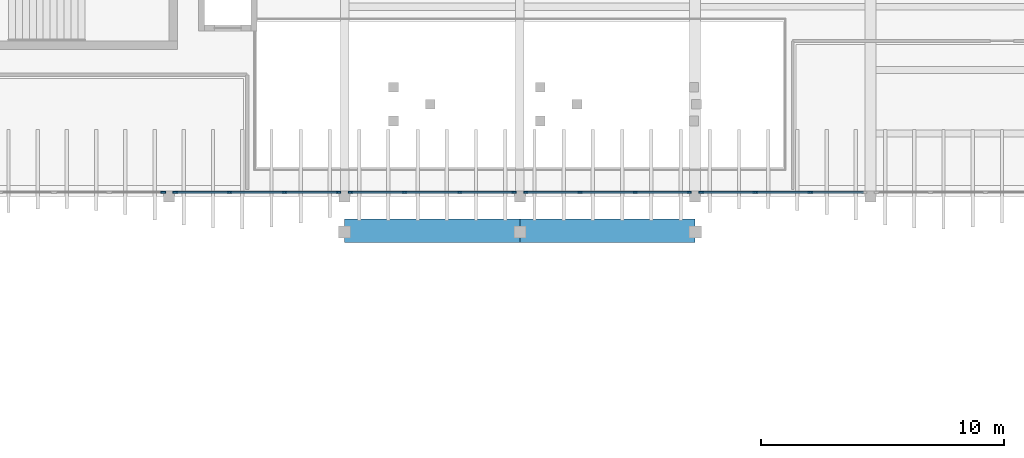
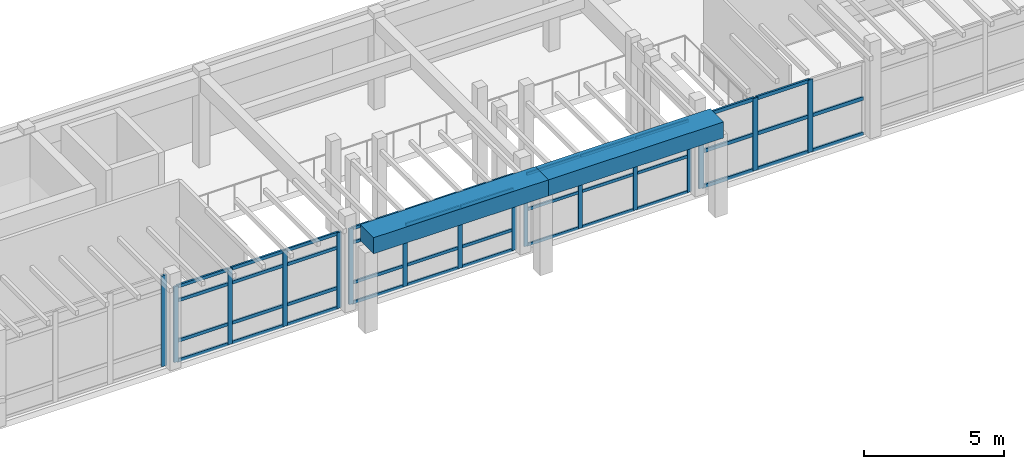
# One storey, part 16 of 60: 57 members, 2 beams, 5 elements without a shape of their own.
"""IFC4 building model written with IfcOpenShell, lengths in metres."""

from ifc_helpers import new_model, si_unit, direction, frame, origin, origin_2d, place, context, subcontext, project, spatial, rectangle, extrude, material, layer, layer_set, material_profile, profile_set, type_object, element, aggregate, save


model = new_model("IFC4")

# Units and contexts
model_context = context("Model", 3, precision=1e-05, world=origin(), true_north=direction((0.0, 1.0)))
body_context = subcontext(model_context, "Body", "Model", "MODEL_VIEW")
ifc_project = project(units=[si_unit("LENGTHUNIT", "METRE"), si_unit("AREAUNIT", "SQUARE_METRE"), si_unit("VOLUMEUNIT", "CUBIC_METRE"), si_unit("PLANEANGLEUNIT", "RADIAN"), si_unit("MASSUNIT", "GRAM", prefix="KILO")], contexts=[model_context])

# Site, building, storey
site_placement = place(None, origin())
site = spatial("IfcSite", under=ifc_project, at=site_placement, CompositionType="ELEMENT")
building_placement = place(site_placement, origin())
building = spatial("IfcBuilding", under=site, at=building_placement, Name="Brisavento Harbour Community Centre", CompositionType="ELEMENT")
storey_placement = place(building_placement, frame((0.0, 0.0, 4.5)))
storey = spatial("IfcBuildingStorey", under=building, at=storey_placement, Name="L01", CompositionType="ELEMENT", Elevation=4.5)

# Beams
ifc_material_1 = material(Name="Concrete C40/50", Category="concrete")
ifc_material_profile_1 = material_profile(ifc_material_1, rectangle(XDim=0.949951171875, YDim=0.699951171875, at=origin_2d()), Name="Concrete C40/50")
ifc_profile_set_1 = profile_set([ifc_material_profile_1], Name="Concrete C40/50")
beam_type = type_object("IfcBeamType", Name="BM-ARCH-PORTAL", PredefinedType="SPANDREL", material=ifc_profile_set_1)
for number, where, z_axis, x_axis, name in (
    (1, (72.0, 13.0, 3.85009765625), (1.0, 0.0, 0.0), (0.0, 1.0, 0.0), "Entrance arch fin-collector portal beam 1"),
    (2, (79.199951171875, 13.0, 3.85009765625), (1.0, 0.0, 0.0), (0.0, 1.0, 0.0), "Entrance arch fin-collector portal beam 2"),
):
    element("IfcBeam", number, at=place(storey_placement, frame(where, z_axis=z_axis, x_axis=x_axis)), inside=storey, type_object=beam_type, Name=name, PredefinedType="SPANDREL", context=body_context, shape_type="SweptSolid", body=[
        extrude(rectangle(XDim=0.949951171875, YDim=0.699951171875, at=origin_2d()), origin(), (0.0, 0.0, 1.0), 7.199951171875),
    ])

# Curtain wall, members
ifc_material_2 = material(Name="Marine-anodised aluminium AW-6063-T6", Category="aluminium")
ifc_layer_1 = layer(ifc_material_2, 0.179931640625, Name="Marine-anodised aluminium AW-6063-T6")
ifc_layer_set_1 = layer_set([ifc_layer_1], Name="Marine-anodised aluminium AW-6063-T6")
curtain_wall_type_1 = type_object("IfcCurtainWallType", Name="CW-SYS-25", PredefinedType="USERDEFINED", material=ifc_layer_set_1)
curtain_wall_1_placement = place(storey_placement, origin())
curtain_wall_1 = element("IfcCurtainWall", 3, at=curtain_wall_1_placement, inside=storey, type_object=curtain_wall_type_1, Name="L01 V2 unitised curtain wall 053", ObjectType="UNITISED CURTAIN WALL", PredefinedType="USERDEFINED")
ifc_material_profile_2 = material_profile(ifc_material_2, rectangle(XDim=0.06494140625, YDim=0.1650390625, at=origin_2d()), Name="Marine-anodised aluminium AW-6063-T6")
ifc_profile_set_2 = profile_set([ifc_material_profile_2], Name="Marine-anodised aluminium AW-6063-T6")
member_type_1 = type_object("IfcMemberType", Name="CWM-01", PredefinedType="MULLION", material=ifc_profile_set_2)
member_1_placement = place(storey_placement, frame((86.157470703125, 14.580078125, 0.0), z_axis=(0.0, 0.0, 1.0), x_axis=(0.0, -1.0, 0.0)))
member_1 = element("IfcMember", 4, at=member_1_placement, type_object=member_type_1, Name="CW-25 mullion 1", PredefinedType="MULLION", context=body_context, shape_type="SweptSolid", body=[
    extrude(rectangle(XDim=0.06494140625, YDim=0.1650390625, at=origin_2d()), origin(), (0.0, 0.0, 1.0), 3.14990234375),
])
member_2_placement = place(storey_placement, frame((83.929931640625, 14.580078125, 0.0), z_axis=(0.0, 0.0, 1.0), x_axis=(0.0, -1.0, 0.0)))
member_2 = element("IfcMember", 5, at=member_2_placement, type_object=member_type_1, Name="CW-25 mullion 2", PredefinedType="MULLION", context=body_context, shape_type="SweptSolid", body=[
    extrude(rectangle(XDim=0.06494140625, YDim=0.1650390625, at=origin_2d()), origin(), (0.0, 0.0, 1.0), 3.14990234375),
])
member_3_placement = place(storey_placement, frame((81.669921875, 14.580078125, 0.0), z_axis=(0.0, 0.0, 1.0), x_axis=(0.0, -1.0, 0.0)))
member_3 = element("IfcMember", 6, at=member_3_placement, type_object=member_type_1, Name="CW-25 mullion 3", PredefinedType="MULLION", context=body_context, shape_type="SweptSolid", body=[
    extrude(rectangle(XDim=0.06494140625, YDim=0.1650390625, at=origin_2d()), origin(), (0.0, 0.0, 1.0), 3.14990234375),
])
member_4_placement = place(storey_placement, frame((79.4423828125, 14.580078125, 0.0), z_axis=(0.0, 0.0, 1.0), x_axis=(0.0, -1.0, 0.0)))
member_4 = element("IfcMember", 7, at=member_4_placement, type_object=member_type_1, Name="CW-25 mullion 4", PredefinedType="MULLION", context=body_context, shape_type="SweptSolid", body=[
    extrude(rectangle(XDim=0.06494140625, YDim=0.1650390625, at=origin_2d()), origin(), (0.0, 0.0, 1.0), 3.14990234375),
])

ifc_layer_2 = layer(ifc_material_2, 0.179931640625, Name="Marine-anodised aluminium AW-6063-T6")
ifc_layer_set_2 = layer_set([ifc_layer_2], Name="Marine-anodised aluminium AW-6063-T6")
curtain_wall_type_2 = type_object("IfcCurtainWallType", Name="CW-SYS-26", PredefinedType="USERDEFINED", material=ifc_layer_set_2)
curtain_wall_2_placement = place(storey_placement, origin())
curtain_wall_2 = element("IfcCurtainWall", 8, at=curtain_wall_2_placement, inside=storey, type_object=curtain_wall_type_2, Name="L01 V2 unitised curtain wall 054", ObjectType="UNITISED CURTAIN WALL", PredefinedType="USERDEFINED")
ifc_material_profile_3 = material_profile(ifc_material_2, rectangle(XDim=0.070068359375, YDim=0.179931640625, at=origin_2d()), Name="Marine-anodised aluminium AW-6063-T6")
ifc_profile_set_3 = profile_set([ifc_material_profile_3], Name="Marine-anodised aluminium AW-6063-T6")
member_type_2 = type_object("IfcMemberType", Name="CWM-02", PredefinedType="MULLION", material=ifc_profile_set_3)
member_5_placement = place(storey_placement, frame((78.955078125, 14.580078125, 0.0), z_axis=(0.0, 0.0, 1.0), x_axis=(0.0, -1.0, 0.0)))
member_5 = element("IfcMember", 9, at=member_5_placement, type_object=member_type_2, Name="CW-26 mullion 1", PredefinedType="MULLION", context=body_context, shape_type="SweptSolid", body=[
    extrude(rectangle(XDim=0.070068359375, YDim=0.179931640625, at=origin_2d()), origin(), (0.0, 0.0, 1.0), 3.300048828125),
])
member_6_placement = place(storey_placement, frame((76.72998046875, 14.580078125, 0.0), z_axis=(0.0, 0.0, 1.0), x_axis=(0.0, -1.0, 0.0)))
member_6 = element("IfcMember", 10, at=member_6_placement, type_object=member_type_2, Name="CW-26 mullion 2", PredefinedType="MULLION", context=body_context, shape_type="SweptSolid", body=[
    extrude(rectangle(XDim=0.070068359375, YDim=0.179931640625, at=origin_2d()), origin(), (0.0, 0.0, 1.0), 3.300048828125),
])
member_7_placement = place(storey_placement, frame((74.469970703125, 14.580078125, 0.0), z_axis=(0.0, 0.0, 1.0), x_axis=(0.0, -1.0, 0.0)))
member_7 = element("IfcMember", 11, at=member_7_placement, type_object=member_type_2, Name="CW-26 mullion 3", PredefinedType="MULLION", context=body_context, shape_type="SweptSolid", body=[
    extrude(rectangle(XDim=0.070068359375, YDim=0.179931640625, at=origin_2d()), origin(), (0.0, 0.0, 1.0), 3.300048828125),
])
member_8_placement = place(storey_placement, frame((72.2451171875, 14.580078125, 0.0), z_axis=(0.0, 0.0, 1.0), x_axis=(0.0, -1.0, 0.0)))
member_8 = element("IfcMember", 12, at=member_8_placement, type_object=member_type_2, Name="CW-26 mullion 4", PredefinedType="MULLION", context=body_context, shape_type="SweptSolid", body=[
    extrude(rectangle(XDim=0.070068359375, YDim=0.179931640625, at=origin_2d()), origin(), (0.0, 0.0, 1.0), 3.300048828125),
])

ifc_layer_3 = layer(ifc_material_2, 0.179931640625, Name="Marine-anodised aluminium AW-6063-T6")
ifc_layer_set_3 = layer_set([ifc_layer_3], Name="Marine-anodised aluminium AW-6063-T6")
curtain_wall_type_3 = type_object("IfcCurtainWallType", Name="CW-SYS-27", PredefinedType="USERDEFINED", material=ifc_layer_set_3)
curtain_wall_3_placement = place(storey_placement, origin())
curtain_wall_3 = element("IfcCurtainWall", 13, at=curtain_wall_3_placement, inside=storey, type_object=curtain_wall_type_3, Name="L01 V2 unitised curtain wall 055", ObjectType="UNITISED CURTAIN WALL", PredefinedType="USERDEFINED")
ifc_material_profile_4 = material_profile(ifc_material_2, rectangle(XDim=0.074951171875, YDim=0.18994140625, at=origin_2d()), Name="Marine-anodised aluminium AW-6063-T6")
ifc_profile_set_4 = profile_set([ifc_material_profile_4], Name="Marine-anodised aluminium AW-6063-T6")
member_type_3 = type_object("IfcMemberType", Name="CWM-03", PredefinedType="MULLION", material=ifc_profile_set_4)
member_9_placement = place(storey_placement, frame((71.75244140625, 14.580078125, 0.0), z_axis=(0.0, 0.0, 1.0), x_axis=(0.0, -1.0, 0.0)))
member_9 = element("IfcMember", 14, at=member_9_placement, type_object=member_type_3, Name="CW-27 mullion 1", PredefinedType="MULLION", context=body_context, shape_type="SweptSolid", body=[
    extrude(rectangle(XDim=0.074951171875, YDim=0.18994140625, at=origin_2d()), origin(), (0.0, 0.0, 1.0), 3.300048828125),
])
member_10_placement = place(storey_placement, frame((69.530029296875, 14.580078125, 0.0), z_axis=(0.0, 0.0, 1.0), x_axis=(0.0, -1.0, 0.0)))
member_10 = element("IfcMember", 15, at=member_10_placement, type_object=member_type_3, Name="CW-27 mullion 2", PredefinedType="MULLION", context=body_context, shape_type="SweptSolid", body=[
    extrude(rectangle(XDim=0.074951171875, YDim=0.18994140625, at=origin_2d()), origin(), (0.0, 0.0, 1.0), 3.300048828125),
])
member_11_placement = place(storey_placement, frame((67.27001953125, 14.580078125, 0.0), z_axis=(0.0, 0.0, 1.0), x_axis=(0.0, -1.0, 0.0)))
member_11 = element("IfcMember", 16, at=member_11_placement, type_object=member_type_3, Name="CW-27 mullion 3", PredefinedType="MULLION", context=body_context, shape_type="SweptSolid", body=[
    extrude(rectangle(XDim=0.074951171875, YDim=0.18994140625, at=origin_2d()), origin(), (0.0, 0.0, 1.0), 3.300048828125),
])
member_12_placement = place(storey_placement, frame((65.047607421875, 14.580078125, 0.0), z_axis=(0.0, 0.0, 1.0), x_axis=(0.0, -1.0, 0.0)))
member_12 = element("IfcMember", 17, at=member_12_placement, type_object=member_type_3, Name="CW-27 mullion 4", PredefinedType="MULLION", context=body_context, shape_type="SweptSolid", body=[
    extrude(rectangle(XDim=0.074951171875, YDim=0.18994140625, at=origin_2d()), origin(), (0.0, 0.0, 1.0), 3.300048828125),
])

ifc_layer_4 = layer(ifc_material_2, 0.179931640625, Name="Marine-anodised aluminium AW-6063-T6")
ifc_layer_set_4 = layer_set([ifc_layer_4], Name="Marine-anodised aluminium AW-6063-T6")
curtain_wall_type_4 = type_object("IfcCurtainWallType", Name="CW-SYS-24", PredefinedType="USERDEFINED", material=ifc_layer_set_4)
curtain_wall_4_placement = place(storey_placement, origin())
curtain_wall_4 = element("IfcCurtainWall", 18, at=curtain_wall_4_placement, inside=storey, type_object=curtain_wall_type_4, Name="L01 V2 unitised curtain wall 052", ObjectType="UNITISED CURTAIN WALL", PredefinedType="USERDEFINED")
ifc_material_profile_5 = material_profile(ifc_material_2, rectangle(XDim=0.080078125, YDim=0.2099609375, at=origin_2d()), Name="Marine-anodised aluminium AW-6063-T6")
ifc_profile_set_5 = profile_set([ifc_material_profile_5], Name="Marine-anodised aluminium AW-6063-T6")
member_type_4 = type_object("IfcMemberType", Name="CWM-04", PredefinedType="MULLION", material=ifc_profile_set_5)
member_13_placement = place(storey_placement, frame((91.1298828125, 14.580078125, 0.0), z_axis=(0.0, 0.0, 1.0), x_axis=(0.0, -1.0, 0.0)))
member_13 = element("IfcMember", 19, at=member_13_placement, type_object=member_type_4, Name="CW-24 mullion 2", PredefinedType="MULLION", context=body_context, shape_type="SweptSolid", body=[
    extrude(rectangle(XDim=0.080078125, YDim=0.2099609375, at=origin_2d()), origin(), (0.0, 0.0, 1.0), 3.14990234375),
])
member_14_placement = place(storey_placement, frame((88.8701171875, 14.580078125, 0.0), z_axis=(0.0, 0.0, 1.0), x_axis=(0.0, -1.0, 0.0)))
member_14 = element("IfcMember", 20, at=member_14_placement, type_object=member_type_4, Name="CW-24 mullion 3", PredefinedType="MULLION", context=body_context, shape_type="SweptSolid", body=[
    extrude(rectangle(XDim=0.080078125, YDim=0.2099609375, at=origin_2d()), origin(), (0.0, 0.0, 1.0), 3.14990234375),
])
member_15_placement = place(storey_placement, frame((86.64990234375, 14.580078125, 0.0), z_axis=(0.0, 0.0, 1.0), x_axis=(0.0, -1.0, 0.0)))
member_15 = element("IfcMember", 21, at=member_15_placement, type_object=member_type_4, Name="CW-24 mullion 4", PredefinedType="MULLION", context=body_context, shape_type="SweptSolid", body=[
    extrude(rectangle(XDim=0.080078125, YDim=0.2099609375, at=origin_2d()), origin(), (0.0, 0.0, 1.0), 3.14990234375),
])

# Curtain wall, member
ifc_layer_5 = layer(ifc_material_2, 0.179931640625, Name="Marine-anodised aluminium AW-6063-T6")
ifc_layer_set_5 = layer_set([ifc_layer_5], Name="Marine-anodised aluminium AW-6063-T6")
curtain_wall_type_5 = type_object("IfcCurtainWallType", Name="CW-SYS-28", PredefinedType="USERDEFINED", material=ifc_layer_set_5)
curtain_wall_5_placement = place(storey_placement, origin())
curtain_wall_5 = element("IfcCurtainWall", 22, at=curtain_wall_5_placement, inside=storey, type_object=curtain_wall_type_5, Name="L01 V2 unitised curtain wall 056", ObjectType="UNITISED CURTAIN WALL", PredefinedType="USERDEFINED")
member_16_placement = place(storey_placement, frame((64.550048828125, 14.580078125, 0.0), z_axis=(0.0, 0.0, 1.0), x_axis=(0.0, -1.0, 0.0)))
member_16 = element("IfcMember", 23, at=member_16_placement, type_object=member_type_4, Name="CW-28 mullion 1", PredefinedType="MULLION", context=body_context, shape_type="SweptSolid", body=[
    extrude(rectangle(XDim=0.080078125, YDim=0.2099609375, at=origin_2d()), origin(), (0.0, 0.0, 1.0), 3.949951171875),
])
aggregate(curtain_wall_5, [member_16])

# Member
ifc_material_profile_6 = material_profile(ifc_material_2, rectangle(XDim=0.06494140625, YDim=0.125, at=origin_2d()), Name="Marine-anodised aluminium AW-6063-T6")
ifc_profile_set_6 = profile_set([ifc_material_profile_6], Name="Marine-anodised aluminium AW-6063-T6")
member_type_5 = type_object("IfcMemberType", Name="CWT-01", PredefinedType="USERDEFINED", material=ifc_profile_set_6)
member_17_placement = place(storey_placement, frame((86.125, 14.580078125, 0.032470703125), z_axis=(-1.0, 0.0, 0.0), x_axis=(0.0, -1.0, 0.0)))
member_17 = element("IfcMember", 24, at=member_17_placement, type_object=member_type_5, Name="CW-25 transom 1.1", ObjectType="TRANSOM", PredefinedType="USERDEFINED", context=body_context, shape_type="SweptSolid", body=[
    extrude(rectangle(XDim=0.06494140625, YDim=0.125, at=origin_2d()), origin(), (0.0, 0.0, 1.0), 2.16259765625),
])

member_18_placement = place(storey_placement, frame((86.125, 14.580078125, 1.574951171875), z_axis=(-1.0, 0.0, 0.0), x_axis=(0.0, -1.0, 0.0)))
member_18 = element("IfcMember", 25, at=member_18_placement, type_object=member_type_5, Name="CW-25 transom 1.2", ObjectType="TRANSOM", PredefinedType="USERDEFINED", context=body_context, shape_type="SweptSolid", body=[
    extrude(rectangle(XDim=0.06494140625, YDim=0.125, at=origin_2d()), origin(), (0.0, 0.0, 1.0), 2.16259765625),
])

member_19_placement = place(storey_placement, frame((86.125, 14.580078125, 3.117431640625), z_axis=(-1.0, 0.0, 0.0), x_axis=(0.0, -1.0, 0.0)))
member_19 = element("IfcMember", 26, at=member_19_placement, type_object=member_type_5, Name="CW-25 transom 1.3", ObjectType="TRANSOM", PredefinedType="USERDEFINED", context=body_context, shape_type="SweptSolid", body=[
    extrude(rectangle(XDim=0.06494140625, YDim=0.125, at=origin_2d()), origin(), (0.0, 0.0, 1.0), 2.16259765625),
])

member_20_placement = place(storey_placement, frame((83.8974609375, 14.580078125, 0.032470703125), z_axis=(-1.0, 0.0, 0.0), x_axis=(0.0, -1.0, 0.0)))
member_20 = element("IfcMember", 27, at=member_20_placement, type_object=member_type_5, Name="CW-25 transom 2.1", ObjectType="TRANSOM", PredefinedType="USERDEFINED", context=body_context, shape_type="SweptSolid", body=[
    extrude(rectangle(XDim=0.06494140625, YDim=0.125, at=origin_2d()), origin(), (0.0, 0.0, 1.0), 2.195068359375),
])

member_21_placement = place(storey_placement, frame((83.8974609375, 14.580078125, 1.574951171875), z_axis=(-1.0, 0.0, 0.0), x_axis=(0.0, -1.0, 0.0)))
member_21 = element("IfcMember", 28, at=member_21_placement, type_object=member_type_5, Name="CW-25 transom 2.2", ObjectType="TRANSOM", PredefinedType="USERDEFINED", context=body_context, shape_type="SweptSolid", body=[
    extrude(rectangle(XDim=0.06494140625, YDim=0.125, at=origin_2d()), origin(), (0.0, 0.0, 1.0), 2.195068359375),
])

member_22_placement = place(storey_placement, frame((83.8974609375, 14.580078125, 3.117431640625), z_axis=(-1.0, 0.0, 0.0), x_axis=(0.0, -1.0, 0.0)))
member_22 = element("IfcMember", 29, at=member_22_placement, type_object=member_type_5, Name="CW-25 transom 2.3", ObjectType="TRANSOM", PredefinedType="USERDEFINED", context=body_context, shape_type="SweptSolid", body=[
    extrude(rectangle(XDim=0.06494140625, YDim=0.125, at=origin_2d()), origin(), (0.0, 0.0, 1.0), 2.195068359375),
])

member_23_placement = place(storey_placement, frame((81.637451171875, 14.580078125, 0.032470703125), z_axis=(-1.0, 0.0, 0.0), x_axis=(0.0, -1.0, 0.0)))
member_23 = element("IfcMember", 30, at=member_23_placement, type_object=member_type_5, Name="CW-25 transom 3.1", ObjectType="TRANSOM", PredefinedType="USERDEFINED", context=body_context, shape_type="SweptSolid", body=[
    extrude(rectangle(XDim=0.06494140625, YDim=0.125, at=origin_2d()), origin(), (0.0, 0.0, 1.0), 2.162353515625),
])

member_24_placement = place(storey_placement, frame((81.637451171875, 14.580078125, 1.574951171875), z_axis=(-1.0, 0.0, 0.0), x_axis=(0.0, -1.0, 0.0)))
member_24 = element("IfcMember", 31, at=member_24_placement, type_object=member_type_5, Name="CW-25 transom 3.2", ObjectType="TRANSOM", PredefinedType="USERDEFINED", context=body_context, shape_type="SweptSolid", body=[
    extrude(rectangle(XDim=0.06494140625, YDim=0.125, at=origin_2d()), origin(), (0.0, 0.0, 1.0), 2.162353515625),
])

member_25_placement = place(storey_placement, frame((81.637451171875, 14.580078125, 3.117431640625), z_axis=(-1.0, 0.0, 0.0), x_axis=(0.0, -1.0, 0.0)))
member_25 = element("IfcMember", 32, at=member_25_placement, type_object=member_type_5, Name="CW-25 transom 3.3", ObjectType="TRANSOM", PredefinedType="USERDEFINED", context=body_context, shape_type="SweptSolid", body=[
    extrude(rectangle(XDim=0.06494140625, YDim=0.125, at=origin_2d()), origin(), (0.0, 0.0, 1.0), 2.162353515625),
])

aggregate(curtain_wall_1, [member_1, member_2, member_3, member_4, member_17, member_18, member_19, member_20, member_21, member_22, member_23, member_24, member_25])

ifc_material_profile_7 = material_profile(ifc_material_2, rectangle(XDim=0.070068359375, YDim=0.132080078125, at=origin_2d()), Name="Marine-anodised aluminium AW-6063-T6")
ifc_profile_set_7 = profile_set([ifc_material_profile_7], Name="Marine-anodised aluminium AW-6063-T6")
member_type_6 = type_object("IfcMemberType", Name="CWT-02", PredefinedType="USERDEFINED", material=ifc_profile_set_7)
member_26_placement = place(storey_placement, frame((78.919921875, 14.580078125, 0.034912109375), z_axis=(-1.0, 0.0, 0.0), x_axis=(0.0, -1.0, 0.0)))
member_26 = element("IfcMember", 33, at=member_26_placement, type_object=member_type_6, Name="CW-26 transom 1.1", ObjectType="TRANSOM", PredefinedType="USERDEFINED", context=body_context, shape_type="SweptSolid", body=[
    extrude(rectangle(XDim=0.070068359375, YDim=0.132080078125, at=origin_2d()), origin(), (0.0, 0.0, 1.0), 2.155029296875),
])

member_27_placement = place(storey_placement, frame((78.919921875, 14.580078125, 0.89990234375), z_axis=(-1.0, 0.0, 0.0), x_axis=(0.0, -1.0, 0.0)))
member_27 = element("IfcMember", 34, at=member_27_placement, type_object=member_type_6, Name="CW-26 transom 1.2", ObjectType="TRANSOM", PredefinedType="USERDEFINED", context=body_context, shape_type="SweptSolid", body=[
    extrude(rectangle(XDim=0.070068359375, YDim=0.132080078125, at=origin_2d()), origin(), (0.0, 0.0, 1.0), 2.155029296875),
])

member_28_placement = place(storey_placement, frame((78.919921875, 14.580078125, 2.64990234375), z_axis=(-1.0, 0.0, 0.0), x_axis=(0.0, -1.0, 0.0)))
member_28 = element("IfcMember", 35, at=member_28_placement, type_object=member_type_6, Name="CW-26 transom 1.3", ObjectType="TRANSOM", PredefinedType="USERDEFINED", context=body_context, shape_type="SweptSolid", body=[
    extrude(rectangle(XDim=0.070068359375, YDim=0.132080078125, at=origin_2d()), origin(), (0.0, 0.0, 1.0), 2.155029296875),
])

member_29_placement = place(storey_placement, frame((78.919921875, 14.580078125, 3.264892578125), z_axis=(-1.0, 0.0, 0.0), x_axis=(0.0, -1.0, 0.0)))
member_29 = element("IfcMember", 36, at=member_29_placement, type_object=member_type_6, Name="CW-26 transom 1.4", ObjectType="TRANSOM", PredefinedType="USERDEFINED", context=body_context, shape_type="SweptSolid", body=[
    extrude(rectangle(XDim=0.070068359375, YDim=0.132080078125, at=origin_2d()), origin(), (0.0, 0.0, 1.0), 2.155029296875),
])

member_30_placement = place(storey_placement, frame((76.695068359375, 14.580078125, 0.034912109375), z_axis=(-1.0, 0.0, 0.0), x_axis=(0.0, -1.0, 0.0)))
member_30 = element("IfcMember", 37, at=member_30_placement, type_object=member_type_6, Name="CW-26 transom 2.1", ObjectType="TRANSOM", PredefinedType="USERDEFINED", context=body_context, shape_type="SweptSolid", body=[
    extrude(rectangle(XDim=0.070068359375, YDim=0.132080078125, at=origin_2d()), origin(), (0.0, 0.0, 1.0), 2.190185546875),
])

member_31_placement = place(storey_placement, frame((76.695068359375, 14.580078125, 0.89990234375), z_axis=(-1.0, 0.0, 0.0), x_axis=(0.0, -1.0, 0.0)))
member_31 = element("IfcMember", 38, at=member_31_placement, type_object=member_type_6, Name="CW-26 transom 2.2", ObjectType="TRANSOM", PredefinedType="USERDEFINED", context=body_context, shape_type="SweptSolid", body=[
    extrude(rectangle(XDim=0.070068359375, YDim=0.132080078125, at=origin_2d()), origin(), (0.0, 0.0, 1.0), 2.190185546875),
])

member_32_placement = place(storey_placement, frame((76.695068359375, 14.580078125, 2.64990234375), z_axis=(-1.0, 0.0, 0.0), x_axis=(0.0, -1.0, 0.0)))
member_32 = element("IfcMember", 39, at=member_32_placement, type_object=member_type_6, Name="CW-26 transom 2.3", ObjectType="TRANSOM", PredefinedType="USERDEFINED", context=body_context, shape_type="SweptSolid", body=[
    extrude(rectangle(XDim=0.070068359375, YDim=0.132080078125, at=origin_2d()), origin(), (0.0, 0.0, 1.0), 2.190185546875),
])

member_33_placement = place(storey_placement, frame((76.695068359375, 14.580078125, 3.264892578125), z_axis=(-1.0, 0.0, 0.0), x_axis=(0.0, -1.0, 0.0)))
member_33 = element("IfcMember", 40, at=member_33_placement, type_object=member_type_6, Name="CW-26 transom 2.4", ObjectType="TRANSOM", PredefinedType="USERDEFINED", context=body_context, shape_type="SweptSolid", body=[
    extrude(rectangle(XDim=0.070068359375, YDim=0.132080078125, at=origin_2d()), origin(), (0.0, 0.0, 1.0), 2.190185546875),
])

member_34_placement = place(storey_placement, frame((74.43505859375, 14.580078125, 0.034912109375), z_axis=(-1.0, 0.0, 0.0), x_axis=(0.0, -1.0, 0.0)))
member_34 = element("IfcMember", 41, at=member_34_placement, type_object=member_type_6, Name="CW-26 transom 3.1", ObjectType="TRANSOM", PredefinedType="USERDEFINED", context=body_context, shape_type="SweptSolid", body=[
    extrude(rectangle(XDim=0.070068359375, YDim=0.132080078125, at=origin_2d()), origin(), (0.0, 0.0, 1.0), 2.155029296875),
])

member_35_placement = place(storey_placement, frame((74.43505859375, 14.580078125, 0.89990234375), z_axis=(-1.0, 0.0, 0.0), x_axis=(0.0, -1.0, 0.0)))
member_35 = element("IfcMember", 42, at=member_35_placement, type_object=member_type_6, Name="CW-26 transom 3.2", ObjectType="TRANSOM", PredefinedType="USERDEFINED", context=body_context, shape_type="SweptSolid", body=[
    extrude(rectangle(XDim=0.070068359375, YDim=0.132080078125, at=origin_2d()), origin(), (0.0, 0.0, 1.0), 2.155029296875),
])

member_36_placement = place(storey_placement, frame((74.43505859375, 14.580078125, 2.64990234375), z_axis=(-1.0, 0.0, 0.0), x_axis=(0.0, -1.0, 0.0)))
member_36 = element("IfcMember", 43, at=member_36_placement, type_object=member_type_6, Name="CW-26 transom 3.3", ObjectType="TRANSOM", PredefinedType="USERDEFINED", context=body_context, shape_type="SweptSolid", body=[
    extrude(rectangle(XDim=0.070068359375, YDim=0.132080078125, at=origin_2d()), origin(), (0.0, 0.0, 1.0), 2.155029296875),
])

member_37_placement = place(storey_placement, frame((74.43505859375, 14.580078125, 3.264892578125), z_axis=(-1.0, 0.0, 0.0), x_axis=(0.0, -1.0, 0.0)))
member_37 = element("IfcMember", 44, at=member_37_placement, type_object=member_type_6, Name="CW-26 transom 3.4", ObjectType="TRANSOM", PredefinedType="USERDEFINED", context=body_context, shape_type="SweptSolid", body=[
    extrude(rectangle(XDim=0.070068359375, YDim=0.132080078125, at=origin_2d()), origin(), (0.0, 0.0, 1.0), 2.155029296875),
])

aggregate(curtain_wall_2, [member_5, member_6, member_7, member_8, member_26, member_27, member_28, member_29, member_30, member_31, member_32, member_33, member_34, member_35, member_36, member_37])

ifc_material_profile_8 = material_profile(ifc_material_2, rectangle(XDim=0.074951171875, YDim=0.139892578125, at=origin_2d()), Name="Marine-anodised aluminium AW-6063-T6")
ifc_profile_set_8 = profile_set([ifc_material_profile_8], Name="Marine-anodised aluminium AW-6063-T6")
member_type_7 = type_object("IfcMemberType", Name="CWT-03", PredefinedType="USERDEFINED", material=ifc_profile_set_8)
member_38_placement = place(storey_placement, frame((71.715087890625, 14.580078125, 0.03759765625), z_axis=(-1.0, 0.0, 0.0), x_axis=(0.0, -1.0, 0.0)))
member_38 = element("IfcMember", 45, at=member_38_placement, type_object=member_type_7, Name="CW-27 transom 1.1", ObjectType="TRANSOM", PredefinedType="USERDEFINED", context=body_context, shape_type="SweptSolid", body=[
    extrude(rectangle(XDim=0.074951171875, YDim=0.139892578125, at=origin_2d()), origin(), (0.0, 0.0, 1.0), 2.147705078125),
])

member_39_placement = place(storey_placement, frame((71.715087890625, 14.580078125, 0.89990234375), z_axis=(-1.0, 0.0, 0.0), x_axis=(0.0, -1.0, 0.0)))
member_39 = element("IfcMember", 46, at=member_39_placement, type_object=member_type_7, Name="CW-27 transom 1.2", ObjectType="TRANSOM", PredefinedType="USERDEFINED", context=body_context, shape_type="SweptSolid", body=[
    extrude(rectangle(XDim=0.074951171875, YDim=0.139892578125, at=origin_2d()), origin(), (0.0, 0.0, 1.0), 2.147705078125),
])

member_40_placement = place(storey_placement, frame((71.715087890625, 14.580078125, 2.64990234375), z_axis=(-1.0, 0.0, 0.0), x_axis=(0.0, -1.0, 0.0)))
member_40 = element("IfcMember", 47, at=member_40_placement, type_object=member_type_7, Name="CW-27 transom 1.3", ObjectType="TRANSOM", PredefinedType="USERDEFINED", context=body_context, shape_type="SweptSolid", body=[
    extrude(rectangle(XDim=0.074951171875, YDim=0.139892578125, at=origin_2d()), origin(), (0.0, 0.0, 1.0), 2.147705078125),
])

member_41_placement = place(storey_placement, frame((71.715087890625, 14.580078125, 3.262451171875), z_axis=(-1.0, 0.0, 0.0), x_axis=(0.0, -1.0, 0.0)))
member_41 = element("IfcMember", 48, at=member_41_placement, type_object=member_type_7, Name="CW-27 transom 1.4", ObjectType="TRANSOM", PredefinedType="USERDEFINED", context=body_context, shape_type="SweptSolid", body=[
    extrude(rectangle(XDim=0.074951171875, YDim=0.139892578125, at=origin_2d()), origin(), (0.0, 0.0, 1.0), 2.147705078125),
])

member_42_placement = place(storey_placement, frame((69.492431640625, 14.580078125, 0.03759765625), z_axis=(-1.0, 0.0, 0.0), x_axis=(0.0, -1.0, 0.0)))
member_42 = element("IfcMember", 49, at=member_42_placement, type_object=member_type_7, Name="CW-27 transom 2.1", ObjectType="TRANSOM", PredefinedType="USERDEFINED", context=body_context, shape_type="SweptSolid", body=[
    extrude(rectangle(XDim=0.074951171875, YDim=0.139892578125, at=origin_2d()), origin(), (0.0, 0.0, 1.0), 2.184814453125),
])

member_43_placement = place(storey_placement, frame((69.492431640625, 14.580078125, 0.89990234375), z_axis=(-1.0, 0.0, 0.0), x_axis=(0.0, -1.0, 0.0)))
member_43 = element("IfcMember", 50, at=member_43_placement, type_object=member_type_7, Name="CW-27 transom 2.2", ObjectType="TRANSOM", PredefinedType="USERDEFINED", context=body_context, shape_type="SweptSolid", body=[
    extrude(rectangle(XDim=0.074951171875, YDim=0.139892578125, at=origin_2d()), origin(), (0.0, 0.0, 1.0), 2.184814453125),
])

member_44_placement = place(storey_placement, frame((69.492431640625, 14.580078125, 2.64990234375), z_axis=(-1.0, 0.0, 0.0), x_axis=(0.0, -1.0, 0.0)))
member_44 = element("IfcMember", 51, at=member_44_placement, type_object=member_type_7, Name="CW-27 transom 2.3", ObjectType="TRANSOM", PredefinedType="USERDEFINED", context=body_context, shape_type="SweptSolid", body=[
    extrude(rectangle(XDim=0.074951171875, YDim=0.139892578125, at=origin_2d()), origin(), (0.0, 0.0, 1.0), 2.184814453125),
])

member_45_placement = place(storey_placement, frame((69.492431640625, 14.580078125, 3.262451171875), z_axis=(-1.0, 0.0, 0.0), x_axis=(0.0, -1.0, 0.0)))
member_45 = element("IfcMember", 52, at=member_45_placement, type_object=member_type_7, Name="CW-27 transom 2.4", ObjectType="TRANSOM", PredefinedType="USERDEFINED", context=body_context, shape_type="SweptSolid", body=[
    extrude(rectangle(XDim=0.074951171875, YDim=0.139892578125, at=origin_2d()), origin(), (0.0, 0.0, 1.0), 2.184814453125),
])

member_46_placement = place(storey_placement, frame((67.232421875, 14.580078125, 0.03759765625), z_axis=(-1.0, 0.0, 0.0), x_axis=(0.0, -1.0, 0.0)))
member_46 = element("IfcMember", 53, at=member_46_placement, type_object=member_type_7, Name="CW-27 transom 3.1", ObjectType="TRANSOM", PredefinedType="USERDEFINED", context=body_context, shape_type="SweptSolid", body=[
    extrude(rectangle(XDim=0.074951171875, YDim=0.139892578125, at=origin_2d()), origin(), (0.0, 0.0, 1.0), 2.1474609375),
])

member_47_placement = place(storey_placement, frame((67.232421875, 14.580078125, 0.89990234375), z_axis=(-1.0, 0.0, 0.0), x_axis=(0.0, -1.0, 0.0)))
member_47 = element("IfcMember", 54, at=member_47_placement, type_object=member_type_7, Name="CW-27 transom 3.2", ObjectType="TRANSOM", PredefinedType="USERDEFINED", context=body_context, shape_type="SweptSolid", body=[
    extrude(rectangle(XDim=0.074951171875, YDim=0.139892578125, at=origin_2d()), origin(), (0.0, 0.0, 1.0), 2.1474609375),
])

member_48_placement = place(storey_placement, frame((67.232421875, 14.580078125, 2.64990234375), z_axis=(-1.0, 0.0, 0.0), x_axis=(0.0, -1.0, 0.0)))
member_48 = element("IfcMember", 55, at=member_48_placement, type_object=member_type_7, Name="CW-27 transom 3.3", ObjectType="TRANSOM", PredefinedType="USERDEFINED", context=body_context, shape_type="SweptSolid", body=[
    extrude(rectangle(XDim=0.074951171875, YDim=0.139892578125, at=origin_2d()), origin(), (0.0, 0.0, 1.0), 2.1474609375),
])

member_49_placement = place(storey_placement, frame((67.232421875, 14.580078125, 3.262451171875), z_axis=(-1.0, 0.0, 0.0), x_axis=(0.0, -1.0, 0.0)))
member_49 = element("IfcMember", 56, at=member_49_placement, type_object=member_type_7, Name="CW-27 transom 3.4", ObjectType="TRANSOM", PredefinedType="USERDEFINED", context=body_context, shape_type="SweptSolid", body=[
    extrude(rectangle(XDim=0.074951171875, YDim=0.139892578125, at=origin_2d()), origin(), (0.0, 0.0, 1.0), 2.1474609375),
])

aggregate(curtain_wall_3, [member_9, member_10, member_11, member_12, member_38, member_39, member_40, member_41, member_42, member_43, member_44, member_45, member_46, member_47, member_48, member_49])

ifc_material_profile_9 = material_profile(ifc_material_2, rectangle(XDim=0.080078125, YDim=0.155029296875, at=origin_2d()), Name="Marine-anodised aluminium AW-6063-T6")
ifc_profile_set_9 = profile_set([ifc_material_profile_9], Name="Marine-anodised aluminium AW-6063-T6")
member_type_8 = type_object("IfcMemberType", Name="CWT-04", PredefinedType="USERDEFINED", material=ifc_profile_set_9)
member_50_placement = place(storey_placement, frame((93.31005859375, 14.580078125, 0.0400390625), z_axis=(-1.0, 0.0, 0.0), x_axis=(0.0, -1.0, 0.0)))
member_50 = element("IfcMember", 57, at=member_50_placement, type_object=member_type_8, Name="CW-24 transom 1.1", ObjectType="TRANSOM", PredefinedType="USERDEFINED", context=body_context, shape_type="SweptSolid", body=[
    extrude(rectangle(XDim=0.080078125, YDim=0.155029296875, at=origin_2d()), origin(), (0.0, 0.0, 1.0), 2.14013671875),
])

member_51_placement = place(storey_placement, frame((93.31005859375, 14.580078125, 1.574951171875), z_axis=(-1.0, 0.0, 0.0), x_axis=(0.0, -1.0, 0.0)))
member_51 = element("IfcMember", 58, at=member_51_placement, type_object=member_type_8, Name="CW-24 transom 1.2", ObjectType="TRANSOM", PredefinedType="USERDEFINED", context=body_context, shape_type="SweptSolid", body=[
    extrude(rectangle(XDim=0.080078125, YDim=0.155029296875, at=origin_2d()), origin(), (0.0, 0.0, 1.0), 2.14013671875),
])

member_52_placement = place(storey_placement, frame((91.090087890625, 14.580078125, 0.0400390625), z_axis=(-1.0, 0.0, 0.0), x_axis=(0.0, -1.0, 0.0)))
member_52 = element("IfcMember", 59, at=member_52_placement, type_object=member_type_8, Name="CW-24 transom 2.1", ObjectType="TRANSOM", PredefinedType="USERDEFINED", context=body_context, shape_type="SweptSolid", body=[
    extrude(rectangle(XDim=0.080078125, YDim=0.155029296875, at=origin_2d()), origin(), (0.0, 0.0, 1.0), 2.18017578125),
])

member_53_placement = place(storey_placement, frame((91.090087890625, 14.580078125, 1.574951171875), z_axis=(-1.0, 0.0, 0.0), x_axis=(0.0, -1.0, 0.0)))
member_53 = element("IfcMember", 60, at=member_53_placement, type_object=member_type_8, Name="CW-24 transom 2.2", ObjectType="TRANSOM", PredefinedType="USERDEFINED", context=body_context, shape_type="SweptSolid", body=[
    extrude(rectangle(XDim=0.080078125, YDim=0.155029296875, at=origin_2d()), origin(), (0.0, 0.0, 1.0), 2.18017578125),
])

member_54_placement = place(storey_placement, frame((91.090087890625, 14.580078125, 3.110107421875), z_axis=(-1.0, 0.0, 0.0), x_axis=(0.0, -1.0, 0.0)))
member_54 = element("IfcMember", 61, at=member_54_placement, type_object=member_type_8, Name="CW-24 transom 2.3", ObjectType="TRANSOM", PredefinedType="USERDEFINED", context=body_context, shape_type="SweptSolid", body=[
    extrude(rectangle(XDim=0.080078125, YDim=0.155029296875, at=origin_2d()), origin(), (0.0, 0.0, 1.0), 2.18017578125),
])

member_55_placement = place(storey_placement, frame((88.830078125, 14.580078125, 0.0400390625), z_axis=(-1.0, 0.0, 0.0), x_axis=(0.0, -1.0, 0.0)))
member_55 = element("IfcMember", 62, at=member_55_placement, type_object=member_type_8, Name="CW-24 transom 3.1", ObjectType="TRANSOM", PredefinedType="USERDEFINED", context=body_context, shape_type="SweptSolid", body=[
    extrude(rectangle(XDim=0.080078125, YDim=0.155029296875, at=origin_2d()), origin(), (0.0, 0.0, 1.0), 2.14013671875),
])

member_56_placement = place(storey_placement, frame((88.830078125, 14.580078125, 1.574951171875), z_axis=(-1.0, 0.0, 0.0), x_axis=(0.0, -1.0, 0.0)))
member_56 = element("IfcMember", 63, at=member_56_placement, type_object=member_type_8, Name="CW-24 transom 3.2", ObjectType="TRANSOM", PredefinedType="USERDEFINED", context=body_context, shape_type="SweptSolid", body=[
    extrude(rectangle(XDim=0.080078125, YDim=0.155029296875, at=origin_2d()), origin(), (0.0, 0.0, 1.0), 2.14013671875),
])

member_57_placement = place(storey_placement, frame((88.830078125, 14.580078125, 3.110107421875), z_axis=(-1.0, 0.0, 0.0), x_axis=(0.0, -1.0, 0.0)))
member_57 = element("IfcMember", 64, at=member_57_placement, type_object=member_type_8, Name="CW-24 transom 3.3", ObjectType="TRANSOM", PredefinedType="USERDEFINED", context=body_context, shape_type="SweptSolid", body=[
    extrude(rectangle(XDim=0.080078125, YDim=0.155029296875, at=origin_2d()), origin(), (0.0, 0.0, 1.0), 2.14013671875),
])

aggregate(curtain_wall_4, [member_13, member_14, member_15, member_50, member_51, member_52, member_53, member_54, member_55, member_56, member_57])

save(model, "model.ifc")
